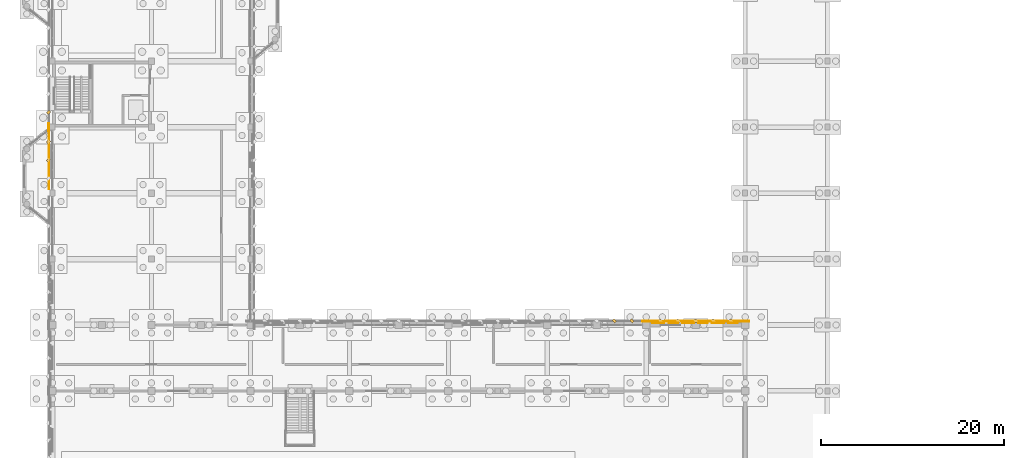
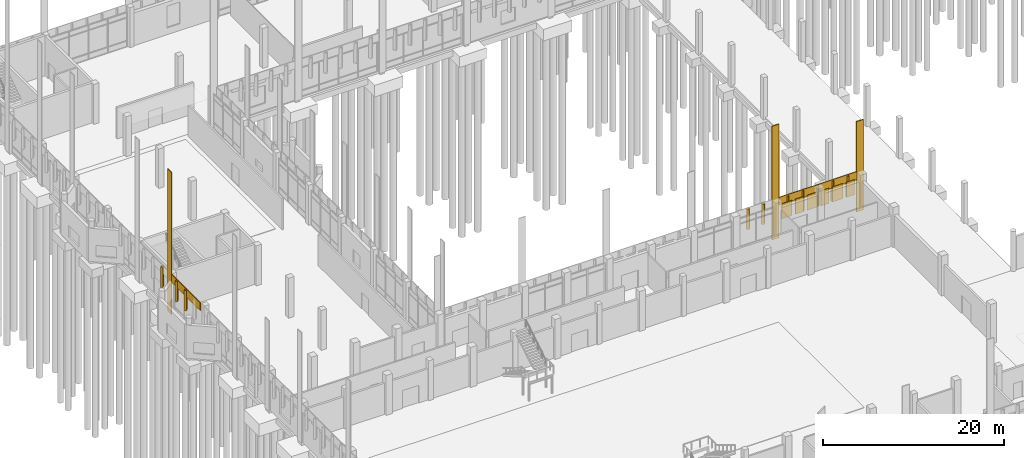
# One storey, part 99 of 109: 21 coverings.
"""IFC4 building model written with IfcOpenShell, lengths in metres."""

from ifc_helpers import new_model, si_unit, direction, frame, origin, origin_2d, place, context, subcontext, project, spatial, rectangle, extrude, material, layer, layer_set, type_object, element, save


model = new_model("IFC4")

# Units and contexts
model_context = context("Model", 3, precision=1e-05, world=origin(), true_north=direction((0.0, 1.0)))
body_context = subcontext(model_context, "Body", "Model", "MODEL_VIEW")
ifc_project = project(units=[si_unit("LENGTHUNIT", "METRE"), si_unit("AREAUNIT", "SQUARE_METRE"), si_unit("VOLUMEUNIT", "CUBIC_METRE"), si_unit("PLANEANGLEUNIT", "RADIAN"), si_unit("MASSUNIT", "GRAM", prefix="KILO")], contexts=[model_context])

# Site, building, storey
site_placement = place(None, origin())
site = spatial("IfcSite", under=ifc_project, at=site_placement, CompositionType="ELEMENT")
building_placement = place(site_placement, origin())
building = spatial("IfcBuilding", under=site, at=building_placement, Name="Lusvemor Sports Hall", CompositionType="ELEMENT")
storey_placement = place(building_placement, origin())
storey = spatial("IfcBuildingStorey", under=building, at=storey_placement, Name="L00", CompositionType="ELEMENT", Elevation=0.0)

# Coverings
ifc_material_1 = material(Name="Precast granite-faced Concrete C40/50 architectural cladding", Category="masonry")
ifc_layer_1 = layer(ifc_material_1, 0.055908203125)
ifc_layer_set_1 = layer_set([ifc_layer_1], Name="Precast granite-faced Concrete C40/50 architectural cladding")
covering_type_1 = type_object("IfcCoveringType", Name="CLAD_RELIEF_FRIEZE", PredefinedType="CLADDING", material=ifc_layer_set_1)
covering_1_placement = place(storey_placement, frame((-0.409912109375, 68.39990234375, 0.0), z_axis=(0.0, 0.0, 1.0), x_axis=(1.0, 0.0, 0.0)))
element("IfcCovering", 1, at=covering_1_placement, inside=storey, type_object=covering_type_1, Name="Art Nouveau Pilaster Cladding Casing 981", PredefinedType="CLADDING", context=body_context, shape_type="SweptSolid", body=[
    extrude(rectangle(XDim=0.10009765625, YDim=0.8798828125, at=origin_2d()), origin(), (0.0, 0.0, 1.0), 19.199951171875),
])
covering_2_placement = place(storey_placement, frame((64.800048828125, 47.2099609375, 0.0), z_axis=(0.0, 0.0, 1.0), x_axis=(1.0, 0.0, 0.0)))
element("IfcCovering", 2, at=covering_2_placement, inside=storey, type_object=covering_type_1, Name="Art Nouveau Pilaster Cladding Casing 1476", PredefinedType="CLADDING", context=body_context, shape_type="SweptSolid", body=[
    extrude(rectangle(XDim=0.8798828125, YDim=0.10009765625, at=origin_2d()), origin(), (0.0, 0.0, 1.0), 15.37548828125),
])
covering_3_placement = place(storey_placement, frame((75.60009765625, 47.2099609375, 0.0), z_axis=(0.0, 0.0, 1.0), x_axis=(1.0, 0.0, 0.0)))
element("IfcCovering", 3, at=covering_3_placement, inside=storey, type_object=covering_type_1, Name="Art Nouveau Pilaster Cladding Casing 1477", PredefinedType="CLADDING", context=body_context, shape_type="SweptSolid", body=[
    extrude(rectangle(XDim=0.8798828125, YDim=0.10009765625, at=origin_2d()), origin(), (0.0, 0.0, 1.0), 12.219970703125),
])
ifc_material_2 = material(Name="Emerald polychrome glazed ceramic cladding on Concrete C40/50 backing", Category="concrete")
ifc_layer_2 = layer(ifc_material_2, 0.0458984375)
ifc_layer_set_2 = layer_set([ifc_layer_2], Name="Emerald polychrome glazed ceramic cladding on Concrete C40/50 backing")
covering_type_2 = type_object("IfcCoveringType", Name="CLAD_WAVE_EMERALD", PredefinedType="CLADDING", material=ifc_layer_set_2)
for number, where, z_axis, x_axis, name in (
    (4, (66.125, 47.005615234375, 2.580078125), (0.0, 0.0, 1.0), (1.0, 0.0, 0.0), "Art Nouveau Patterned Cladding PS-V1N0-6-1"),
    (5, (69.385009765625, 47.005615234375, 2.580078125), (0.0, 0.0, 1.0), (1.0, 0.0, 0.0), "Art Nouveau Patterned Cladding PS-V1N0-6-3"),
    (6, (72.64501953125, 47.005615234375, 2.580078125), (0.0, 0.0, 1.0), (1.0, 0.0, 0.0), "Art Nouveau Patterned Cladding PS-V1N0-6-5"),
):
    element("IfcCovering", number, at=place(storey_placement, frame(where, z_axis=z_axis, x_axis=x_axis)), inside=storey, type_object=covering_type_2, Name=name, PredefinedType="CLADDING", context=body_context, shape_type="SweptSolid", body=[
        extrude(rectangle(XDim=1.336669921875, YDim=0.0458984375, at=origin_2d()), origin(), (0.0, 0.0, 1.0), 2.0400390625),
    ])
covering_4_placement = place(storey_placement, frame((-0.43994140625, 64.800048828125, 2.550048828125), z_axis=(0.0, 0.0, 1.0), x_axis=(0.707106781187, 0.707106781187, 0.0)))
element("IfcCovering", 7, at=covering_4_placement, inside=storey, type_object=covering_type_2, Name="Patterned Diamond Cladding Rib 1019", PredefinedType="CLADDING", context=body_context, shape_type="SweptSolid", body=[
    extrude(rectangle(XDim=0.3798828125, YDim=0.280029296875, at=origin_2d()), origin(), (0.0, 0.0, 1.0), 2.75),
])
for number, where, z_axis, x_axis, name in (
    (8, (61.320068359375, 47.239990234375, 2.550048828125), (0.0, 0.0, 1.0), (0.707106781187, 0.707106781187, 0.0), "Patterned Diamond Cladding Rib 1536"),
    (9, (68.280029296875, 47.239990234375, 2.550048828125), (0.0, 0.0, 1.0), (0.707106781187, 0.707106781187, 0.0), "Patterned Diamond Cladding Rib 1552"),
    (10, (72.1201171875, 47.239990234375, 2.550048828125), (0.0, 0.0, 1.0), (0.707106781187, 0.707106781187, 0.0), "Patterned Diamond Cladding Rib 1554"),
):
    element("IfcCovering", number, at=place(storey_placement, frame(where, z_axis=z_axis, x_axis=x_axis)), inside=storey, type_object=covering_type_2, Name=name, PredefinedType="CLADDING", context=body_context, shape_type="SweptSolid", body=[
        extrude(rectangle(XDim=0.280029296875, YDim=0.3798828125, at=origin_2d()), origin(), (0.0, 0.0, 1.0), 2.75),
    ])
ifc_material_3 = material(Name="Warm terracotta Art Nouveau ceramic cladding on Concrete C40/50 backing", Category="masonry")
ifc_layer_3 = layer(ifc_material_3, 0.0380859375)
ifc_layer_set_3 = layer_set([ifc_layer_3], Name="Warm terracotta Art Nouveau ceramic cladding on Concrete C40/50 backing")
covering_type_3 = type_object("IfcCoveringType", Name="CLAD_WAVE_OCHRE", PredefinedType="CLADDING", material=ifc_layer_set_3)
for number, where, z_axis, x_axis, name in (
    (11, (67.7548828125, 47.00146484375, 2.580078125), (0.0, 0.0, 1.0), (1.0, 0.0, 0.0), "Art Nouveau Patterned Cladding PS-V1N0-6-2"),
    (12, (71.014892578125, 47.00146484375, 2.580078125), (0.0, 0.0, 1.0), (1.0, 0.0, 0.0), "Art Nouveau Patterned Cladding PS-V1N0-6-4"),
    (13, (74.27490234375, 47.00146484375, 2.580078125), (0.0, 0.0, 1.0), (1.0, 0.0, 0.0), "Art Nouveau Patterned Cladding PS-V1N0-6-6"),
):
    element("IfcCovering", number, at=place(storey_placement, frame(where, z_axis=z_axis, x_axis=x_axis)), inside=storey, type_object=covering_type_3, Name=name, PredefinedType="CLADDING", context=body_context, shape_type="SweptSolid", body=[
        extrude(rectangle(XDim=1.043212890625, YDim=0.0380859375, at=origin_2d()), origin(), (0.0, 0.0, 1.0), 2.0400390625),
    ])
covering_5_placement = place(storey_placement, frame((-0.389892578125, 64.800048828125, 4.3798828125), z_axis=(0.0, 0.0, 1.0), x_axis=(1.0, 0.0, 0.0)))
element("IfcCovering", 14, at=covering_5_placement, inside=storey, type_object=covering_type_3, Name="Art Nouveau Spandrel Cornice 1017", PredefinedType="CLADDING", context=body_context, shape_type="SweptSolid", body=[
    extrude(rectangle(XDim=0.090087890625, YDim=6.3798828125, at=origin_2d()), origin(), (0.0, 0.0, 1.0), 1.080078125),
])
covering_6_placement = place(storey_placement, frame((70.199951171875, 47.18994140625, 4.3798828125), z_axis=(0.0, 0.0, 1.0), x_axis=(1.0, 0.0, 0.0)))
element("IfcCovering", 15, at=covering_6_placement, inside=storey, type_object=covering_type_3, Name="Art Nouveau Spandrel Cornice 1550", PredefinedType="CLADDING", context=body_context, shape_type="SweptSolid", body=[
    extrude(rectangle(XDim=9.97998046875, YDim=0.090087890625, at=origin_2d()), origin(), (0.0, 0.0, 1.0), 1.080078125),
])
ifc_material_4 = material(Name="Warm terracotta Art Nouveau ceramic cladding on Concrete C40/50 backing", Category="masonry")
ifc_layer_4 = layer(ifc_material_4, 0.449951171875)
ifc_layer_set_4 = layer_set([ifc_layer_4], Name="Warm terracotta Art Nouveau ceramic cladding on Concrete C40/50 backing")
covering_type_4 = type_object("IfcCoveringType", Name="FIN_BRISE_CER_450", PredefinedType="MOLDING", material=ifc_layer_set_4)
for number, where, z_axis, x_axis, name in (
    (16, (-0.43994140625, 66.800048828125, 2.550048828125), (0.0, 0.0, 1.0), (0.707106781187, 0.707106781187, 0.0), "Patterned Diamond Cladding Rib 1020"),
    (17, (-0.43994140625, 70.0, 2.550048828125), (0.0, 0.0, 1.0), (0.707106781187, 0.707106781187, 0.0), "Patterned Diamond Cladding Rib 1034"),
):
    element("IfcCovering", number, at=place(storey_placement, frame(where, z_axis=z_axis, x_axis=x_axis)), inside=storey, type_object=covering_type_4, Name=name, PredefinedType="MOLDING", context=body_context, shape_type="SweptSolid", body=[
        extrude(rectangle(XDim=0.3798828125, YDim=0.280029296875, at=origin_2d()), origin(), (0.0, 0.0, 1.0), 2.75),
    ])
for number, where, z_axis, x_axis, name in (
    (18, (63.239990234375, 47.239990234375, 2.550048828125), (0.0, 0.0, 1.0), (0.707106781187, 0.707106781187, 0.0), "Patterned Diamond Cladding Rib 1537"),
    (19, (66.360107421875, 47.239990234375, 2.550048828125), (0.0, 0.0, 1.0), (0.707106781187, 0.707106781187, 0.0), "Patterned Diamond Cladding Rib 1551"),
    (20, (70.199951171875, 47.239990234375, 2.550048828125), (0.0, 0.0, 1.0), (0.707106781187, 0.707106781187, 0.0), "Patterned Diamond Cladding Rib 1553"),
    (21, (74.0400390625, 47.239990234375, 2.550048828125), (0.0, 0.0, 1.0), (0.707106781187, 0.707106781187, 0.0), "Patterned Diamond Cladding Rib 1555"),
):
    element("IfcCovering", number, at=place(storey_placement, frame(where, z_axis=z_axis, x_axis=x_axis)), inside=storey, type_object=covering_type_4, Name=name, PredefinedType="MOLDING", context=body_context, shape_type="SweptSolid", body=[
        extrude(rectangle(XDim=0.280029296875, YDim=0.3798828125, at=origin_2d()), origin(), (0.0, 0.0, 1.0), 2.75),
    ])

save(model, "model.ifc")
